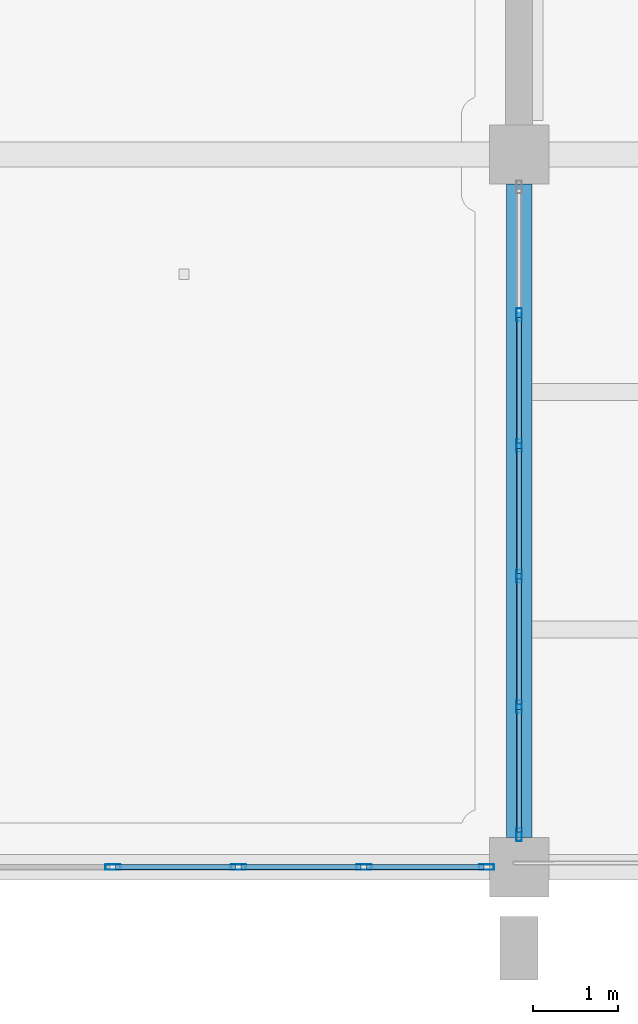
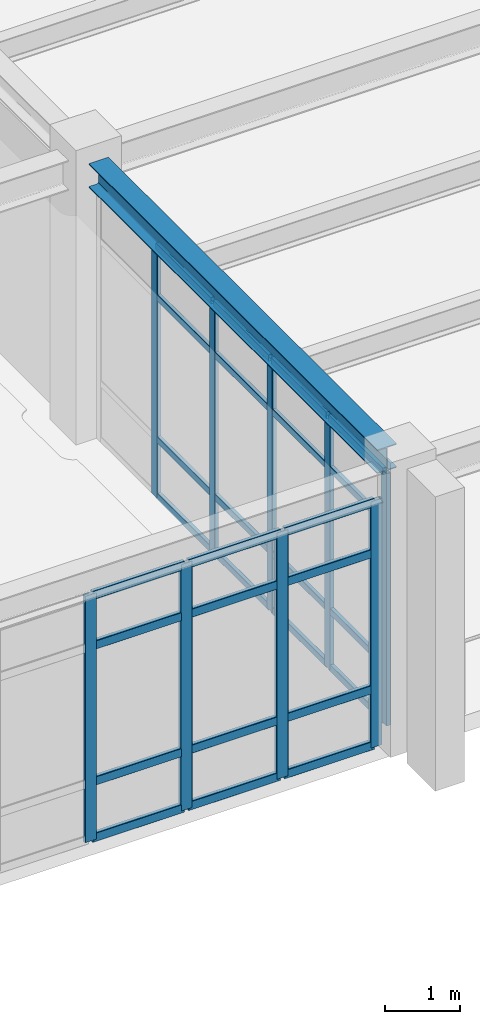
# One storey, part 57 of 98: 37 members, 1 beam, 2 elements without a shape of their own.
"""IFC4 building model written with IfcOpenShell, lengths in metres."""

from ifc_helpers import new_model, si_unit, direction, frame, origin, origin_2d, place, context, subcontext, project, spatial, hollow_rectangle, i_section, extrude, material, material_profile, profile_set, type_object, element, aggregate, save


model = new_model("IFC4")

# Units and contexts
model_context = context("Model", 3, precision=1e-05, world=origin(), true_north=direction((0.0, 1.0)))
body_context = subcontext(model_context, "Body", "Model", "MODEL_VIEW")
ifc_project = project(units=[si_unit("LENGTHUNIT", "METRE"), si_unit("AREAUNIT", "SQUARE_METRE"), si_unit("VOLUMEUNIT", "CUBIC_METRE"), si_unit("PLANEANGLEUNIT", "RADIAN"), si_unit("MASSUNIT", "GRAM", prefix="KILO")], contexts=[model_context])

# Site, building, storey
site_placement = place(None, origin())
site = spatial("IfcSite", under=ifc_project, at=site_placement, CompositionType="ELEMENT")
building_placement = place(site_placement, origin())
building = spatial("IfcBuilding", under=site, at=building_placement, Name="Canglan Escarpment Cableway Terminal", CompositionType="ELEMENT")
storey_placement = place(building_placement, frame((0.0, 0.0, 9.60009765625)))
storey = spatial("IfcBuildingStorey", under=building, at=storey_placement, Name="L02", CompositionType="ELEMENT", Elevation=9.60009765625)

# Beam
ifc_material_1 = material(Name="Steel Q355B", Category="steel")
ifc_material_profile_1 = material_profile(ifc_material_1, i_section(OverallWidth=0.300048828125, OverallDepth=0.389892578125, WebThickness=0.010009765625, FlangeThickness=0.01611328125, FilletRadius=0.02197265625, at=origin_2d()), Name="HM 390x300x10x16")
ifc_profile_set_1 = profile_set([ifc_material_profile_1], Name="Steel Q355B")
beam_type = type_object("IfcBeamType", Name="BM-ARCH-TOP-HM390", PredefinedType="BEAM", material=ifc_profile_set_1)
beam_placement = place(storey_placement, frame((166.39990234375, 8.35009765625, 4.324951171875), z_axis=(0.0, 1.0, 0.0), x_axis=(-1.0, 0.0, 0.0)))
element("IfcBeam", 1, at=beam_placement, inside=storey, type_object=beam_type, Name="Primary transverse girder AR-TC1", PredefinedType="BEAM", context=body_context, shape_type="SweptSolid", body=[
    extrude(i_section(OverallWidth=0.300048828125, OverallDepth=0.389892578125, WebThickness=0.010009765625, FlangeThickness=0.01611328125, FilletRadius=0.02197265625, at=origin_2d()), origin(), (0.0, 0.0, 1.0), 7.699951171875),
])

# Curtain wall, members
ifc_material_2 = material(Name="Anodized bronze aluminium and Low-E double glazing", Category="aluminium")
curtain_wall_type_1 = type_object("IfcCurtainWallType", Name="CW-BAY-7700x4125", PredefinedType="NOTDEFINED", material=ifc_material_2)
curtain_wall_1_placement = place(storey_placement, origin())
curtain_wall_1 = element("IfcCurtainWall", 2, at=curtain_wall_1_placement, inside=storey, type_object=curtain_wall_type_1, Name="Classical bay-between-piers glazed curtain wall CW-27", PredefinedType="NOTDEFINED")
ifc_material_3 = material(Name="Thermally broken anodized aluminium 6063-T6", Category="aluminium")
ifc_material_profile_2 = material_profile(ifc_material_3, hollow_rectangle(XDim=0.06494140625, YDim=0.14990234375, WallThickness=0.00341796875, InnerFilletRadius=0.00341796875, OuterFilletRadius=0.007080078125, at=origin_2d()), Name="ALU-MULL 65x150x3.5")
ifc_profile_set_2 = profile_set([ifc_material_profile_2], Name="Thermally broken anodized aluminium 6063-T6")
member_type_1 = type_object("IfcMemberType", Name="CWM-02", PredefinedType="MULLION", material=ifc_profile_set_2)
member_1_placement = place(storey_placement, frame((166.39990234375, 8.382568359375, 0.0), z_axis=(0.0, 0.0, 1.0), x_axis=(-1.0, 0.0, 0.0)))
member_1 = element("IfcMember", 3, at=member_1_placement, type_object=member_type_1, Name="CW-27 mullion 1", PredefinedType="MULLION", context=body_context, shape_type="SweptSolid", body=[
    extrude(hollow_rectangle(XDim=0.06494140625, YDim=0.14990234375, WallThickness=0.00341796875, InnerFilletRadius=0.00341796875, OuterFilletRadius=0.007080078125, at=origin_2d()), origin(), (0.0, 0.0, 1.0), 4.114990234375),
])
member_2_placement = place(storey_placement, frame((166.39990234375, 9.889892578125, 0.0), z_axis=(0.0, 0.0, 1.0), x_axis=(-1.0, 0.0, 0.0)))
member_2 = element("IfcMember", 4, at=member_2_placement, type_object=member_type_1, Name="CW-27 mullion 2", PredefinedType="MULLION", context=body_context, shape_type="SweptSolid", body=[
    extrude(hollow_rectangle(XDim=0.06494140625, YDim=0.14990234375, WallThickness=0.00341796875, InnerFilletRadius=0.00341796875, OuterFilletRadius=0.007080078125, at=origin_2d()), origin(), (0.0, 0.0, 1.0), 4.114990234375),
])
member_3_placement = place(storey_placement, frame((166.39990234375, 11.429931640625, 0.0), z_axis=(0.0, 0.0, 1.0), x_axis=(-1.0, 0.0, 0.0)))
member_3 = element("IfcMember", 5, at=member_3_placement, type_object=member_type_1, Name="CW-27 mullion 3", PredefinedType="MULLION", context=body_context, shape_type="SweptSolid", body=[
    extrude(hollow_rectangle(XDim=0.06494140625, YDim=0.14990234375, WallThickness=0.00341796875, InnerFilletRadius=0.00341796875, OuterFilletRadius=0.007080078125, at=origin_2d()), origin(), (0.0, 0.0, 1.0), 4.114990234375),
])
member_4_placement = place(storey_placement, frame((166.39990234375, 12.969970703125, 0.0), z_axis=(0.0, 0.0, 1.0), x_axis=(-1.0, 0.0, 0.0)))
member_4 = element("IfcMember", 6, at=member_4_placement, type_object=member_type_1, Name="CW-27 mullion 4", PredefinedType="MULLION", context=body_context, shape_type="SweptSolid", body=[
    extrude(hollow_rectangle(XDim=0.06494140625, YDim=0.14990234375, WallThickness=0.00341796875, InnerFilletRadius=0.00341796875, OuterFilletRadius=0.007080078125, at=origin_2d()), origin(), (0.0, 0.0, 1.0), 4.114990234375),
])
member_5_placement = place(storey_placement, frame((166.39990234375, 14.510009765625, 0.0), z_axis=(0.0, 0.0, 1.0), x_axis=(-1.0, 0.0, 0.0)))
member_5 = element("IfcMember", 7, at=member_5_placement, type_object=member_type_1, Name="CW-27 mullion 5", PredefinedType="MULLION", context=body_context, shape_type="SweptSolid", body=[
    extrude(hollow_rectangle(XDim=0.06494140625, YDim=0.14990234375, WallThickness=0.00341796875, InnerFilletRadius=0.00341796875, OuterFilletRadius=0.007080078125, at=origin_2d()), origin(), (0.0, 0.0, 1.0), 4.114990234375),
])

curtain_wall_type_2 = type_object("IfcCurtainWallType", Name="CW-BAY-8875x4025", PredefinedType="NOTDEFINED", material=ifc_material_2)
curtain_wall_2_placement = place(storey_placement, origin())
curtain_wall_2 = element("IfcCurtainWall", 8, at=curtain_wall_2_placement, inside=storey, type_object=curtain_wall_type_2, Name="Classical bay-between-piers glazed curtain wall CW-26", PredefinedType="NOTDEFINED")
ifc_material_profile_3 = material_profile(ifc_material_3, hollow_rectangle(XDim=0.06494140625, YDim=0.179931640625, WallThickness=0.00390625, InnerFilletRadius=0.00390625, OuterFilletRadius=0.008056640625, at=origin_2d()), Name="ALU-MULL 65x180x4")
ifc_profile_set_3 = profile_set([ifc_material_profile_3], Name="Thermally broken anodized aluminium 6063-T6")
member_type_2 = type_object("IfcMemberType", Name="CWM-03", PredefinedType="MULLION", material=ifc_profile_set_3)
member_6_placement = place(storey_placement, frame((161.612548828125, 8.0, 0.0), z_axis=(0.0, 0.0, 1.0), x_axis=(0.0, 1.0, 0.0)))
member_6 = element("IfcMember", 9, at=member_6_placement, type_object=member_type_2, Name="CW-26 mullion 4", PredefinedType="MULLION", context=body_context, shape_type="SweptSolid", body=[
    extrude(hollow_rectangle(XDim=0.06494140625, YDim=0.179931640625, WallThickness=0.00390625, InnerFilletRadius=0.00390625, OuterFilletRadius=0.008056640625, at=origin_2d()), origin(), (0.0, 0.0, 1.0), 4.016845703125),
])
member_7_placement = place(storey_placement, frame((163.091552734375, 8.0, 0.0), z_axis=(0.0, 0.0, 1.0), x_axis=(0.0, 1.0, 0.0)))
member_7 = element("IfcMember", 10, at=member_7_placement, type_object=member_type_2, Name="CW-26 mullion 5", PredefinedType="MULLION", context=body_context, shape_type="SweptSolid", body=[
    extrude(hollow_rectangle(XDim=0.06494140625, YDim=0.179931640625, WallThickness=0.00390625, InnerFilletRadius=0.00390625, OuterFilletRadius=0.008056640625, at=origin_2d()), origin(), (0.0, 0.0, 1.0), 4.016845703125),
])
member_8_placement = place(storey_placement, frame((164.57080078125, 8.0, 0.0), z_axis=(0.0, 0.0, 1.0), x_axis=(0.0, 1.0, 0.0)))
member_8 = element("IfcMember", 11, at=member_8_placement, type_object=member_type_2, Name="CW-26 mullion 6", PredefinedType="MULLION", context=body_context, shape_type="SweptSolid", body=[
    extrude(hollow_rectangle(XDim=0.06494140625, YDim=0.179931640625, WallThickness=0.00390625, InnerFilletRadius=0.00390625, OuterFilletRadius=0.008056640625, at=origin_2d()), origin(), (0.0, 0.0, 1.0), 4.016845703125),
])
member_9_placement = place(storey_placement, frame((166.017578125, 8.0, 0.0), z_axis=(0.0, 0.0, 1.0), x_axis=(0.0, 1.0, 0.0)))
member_9 = element("IfcMember", 12, at=member_9_placement, type_object=member_type_2, Name="CW-26 mullion 7", PredefinedType="MULLION", context=body_context, shape_type="SweptSolid", body=[
    extrude(hollow_rectangle(XDim=0.06494140625, YDim=0.179931640625, WallThickness=0.00390625, InnerFilletRadius=0.00390625, OuterFilletRadius=0.008056640625, at=origin_2d()), origin(), (0.0, 0.0, 1.0), 4.016845703125),
])

# Member
ifc_material_profile_4 = material_profile(ifc_material_3, hollow_rectangle(XDim=0.06005859375, YDim=0.110107421875, WallThickness=0.0029296875, InnerFilletRadius=0.0029296875, OuterFilletRadius=0.006103515625, at=origin_2d()), Name="ALU-TRAN 60x110x3")
ifc_profile_set_4 = profile_set([ifc_material_profile_4], Name="Thermally broken anodized aluminium 6063-T6")
member_type_3 = type_object("IfcMemberType", Name="CWT-02", PredefinedType="USERDEFINED", material=ifc_profile_set_4)
member_10_placement = place(storey_placement, frame((166.39990234375, 8.4150390625, 0.02978515625), z_axis=(0.0, 1.0, 0.0), x_axis=(-1.0, 0.0, 0.0)))
member_10 = element("IfcMember", 13, at=member_10_placement, type_object=member_type_3, Name="CW-27 transom 1.1", ObjectType="TRANSOM", PredefinedType="USERDEFINED", context=body_context, shape_type="SweptSolid", body=[
    extrude(hollow_rectangle(XDim=0.06005859375, YDim=0.110107421875, WallThickness=0.0029296875, InnerFilletRadius=0.0029296875, OuterFilletRadius=0.006103515625, at=origin_2d()), origin(), (0.0, 0.0, 1.0), 1.4423828125),
])

member_11_placement = place(storey_placement, frame((166.39990234375, 8.4150390625, 0.949951171875), z_axis=(0.0, 1.0, 0.0), x_axis=(-1.0, 0.0, 0.0)))
member_11 = element("IfcMember", 14, at=member_11_placement, type_object=member_type_3, Name="CW-27 transom 1.2", ObjectType="TRANSOM", PredefinedType="USERDEFINED", context=body_context, shape_type="SweptSolid", body=[
    extrude(hollow_rectangle(XDim=0.06005859375, YDim=0.110107421875, WallThickness=0.0029296875, InnerFilletRadius=0.0029296875, OuterFilletRadius=0.006103515625, at=origin_2d()), origin(), (0.0, 0.0, 1.0), 1.4423828125),
])

member_12_placement = place(storey_placement, frame((166.39990234375, 8.4150390625, 3.264892578125), z_axis=(0.0, 1.0, 0.0), x_axis=(-1.0, 0.0, 0.0)))
member_12 = element("IfcMember", 15, at=member_12_placement, type_object=member_type_3, Name="CW-27 transom 1.3", ObjectType="TRANSOM", PredefinedType="USERDEFINED", context=body_context, shape_type="SweptSolid", body=[
    extrude(hollow_rectangle(XDim=0.06005859375, YDim=0.110107421875, WallThickness=0.0029296875, InnerFilletRadius=0.0029296875, OuterFilletRadius=0.006103515625, at=origin_2d()), origin(), (0.0, 0.0, 1.0), 1.4423828125),
])

member_13_placement = place(storey_placement, frame((166.39990234375, 8.4150390625, 4.0849609375), z_axis=(0.0, 1.0, 0.0), x_axis=(-1.0, 0.0, 0.0)))
member_13 = element("IfcMember", 16, at=member_13_placement, type_object=member_type_3, Name="CW-27 transom 1.4", ObjectType="TRANSOM", PredefinedType="USERDEFINED", context=body_context, shape_type="SweptSolid", body=[
    extrude(hollow_rectangle(XDim=0.06005859375, YDim=0.110107421875, WallThickness=0.0029296875, InnerFilletRadius=0.0029296875, OuterFilletRadius=0.006103515625, at=origin_2d()), origin(), (0.0, 0.0, 1.0), 1.4423828125),
])

member_14_placement = place(storey_placement, frame((166.39990234375, 9.922607421875, 0.02978515625), z_axis=(0.0, 1.0, 0.0), x_axis=(-1.0, 0.0, 0.0)))
member_14 = element("IfcMember", 17, at=member_14_placement, type_object=member_type_3, Name="CW-27 transom 2.1", ObjectType="TRANSOM", PredefinedType="USERDEFINED", context=body_context, shape_type="SweptSolid", body=[
    extrude(hollow_rectangle(XDim=0.06005859375, YDim=0.110107421875, WallThickness=0.0029296875, InnerFilletRadius=0.0029296875, OuterFilletRadius=0.006103515625, at=origin_2d()), origin(), (0.0, 0.0, 1.0), 1.474853515625),
])

member_15_placement = place(storey_placement, frame((166.39990234375, 9.922607421875, 0.949951171875), z_axis=(0.0, 1.0, 0.0), x_axis=(-1.0, 0.0, 0.0)))
member_15 = element("IfcMember", 18, at=member_15_placement, type_object=member_type_3, Name="CW-27 transom 2.2", ObjectType="TRANSOM", PredefinedType="USERDEFINED", context=body_context, shape_type="SweptSolid", body=[
    extrude(hollow_rectangle(XDim=0.06005859375, YDim=0.110107421875, WallThickness=0.0029296875, InnerFilletRadius=0.0029296875, OuterFilletRadius=0.006103515625, at=origin_2d()), origin(), (0.0, 0.0, 1.0), 1.474853515625),
])

member_16_placement = place(storey_placement, frame((166.39990234375, 9.922607421875, 3.264892578125), z_axis=(0.0, 1.0, 0.0), x_axis=(-1.0, 0.0, 0.0)))
member_16 = element("IfcMember", 19, at=member_16_placement, type_object=member_type_3, Name="CW-27 transom 2.3", ObjectType="TRANSOM", PredefinedType="USERDEFINED", context=body_context, shape_type="SweptSolid", body=[
    extrude(hollow_rectangle(XDim=0.06005859375, YDim=0.110107421875, WallThickness=0.0029296875, InnerFilletRadius=0.0029296875, OuterFilletRadius=0.006103515625, at=origin_2d()), origin(), (0.0, 0.0, 1.0), 1.474853515625),
])

member_17_placement = place(storey_placement, frame((166.39990234375, 9.922607421875, 4.0849609375), z_axis=(0.0, 1.0, 0.0), x_axis=(-1.0, 0.0, 0.0)))
member_17 = element("IfcMember", 20, at=member_17_placement, type_object=member_type_3, Name="CW-27 transom 2.4", ObjectType="TRANSOM", PredefinedType="USERDEFINED", context=body_context, shape_type="SweptSolid", body=[
    extrude(hollow_rectangle(XDim=0.06005859375, YDim=0.110107421875, WallThickness=0.0029296875, InnerFilletRadius=0.0029296875, OuterFilletRadius=0.006103515625, at=origin_2d()), origin(), (0.0, 0.0, 1.0), 1.474853515625),
])

member_18_placement = place(storey_placement, frame((166.39990234375, 11.46240234375, 0.02978515625), z_axis=(0.0, 1.0, 0.0), x_axis=(-1.0, 0.0, 0.0)))
member_18 = element("IfcMember", 21, at=member_18_placement, type_object=member_type_3, Name="CW-27 transom 3.1", ObjectType="TRANSOM", PredefinedType="USERDEFINED", context=body_context, shape_type="SweptSolid", body=[
    extrude(hollow_rectangle(XDim=0.06005859375, YDim=0.110107421875, WallThickness=0.0029296875, InnerFilletRadius=0.0029296875, OuterFilletRadius=0.006103515625, at=origin_2d()), origin(), (0.0, 0.0, 1.0), 1.47509765625),
])

member_19_placement = place(storey_placement, frame((166.39990234375, 11.46240234375, 0.949951171875), z_axis=(0.0, 1.0, 0.0), x_axis=(-1.0, 0.0, 0.0)))
member_19 = element("IfcMember", 22, at=member_19_placement, type_object=member_type_3, Name="CW-27 transom 3.2", ObjectType="TRANSOM", PredefinedType="USERDEFINED", context=body_context, shape_type="SweptSolid", body=[
    extrude(hollow_rectangle(XDim=0.06005859375, YDim=0.110107421875, WallThickness=0.0029296875, InnerFilletRadius=0.0029296875, OuterFilletRadius=0.006103515625, at=origin_2d()), origin(), (0.0, 0.0, 1.0), 1.47509765625),
])

member_20_placement = place(storey_placement, frame((166.39990234375, 11.46240234375, 3.264892578125), z_axis=(0.0, 1.0, 0.0), x_axis=(-1.0, 0.0, 0.0)))
member_20 = element("IfcMember", 23, at=member_20_placement, type_object=member_type_3, Name="CW-27 transom 3.3", ObjectType="TRANSOM", PredefinedType="USERDEFINED", context=body_context, shape_type="SweptSolid", body=[
    extrude(hollow_rectangle(XDim=0.06005859375, YDim=0.110107421875, WallThickness=0.0029296875, InnerFilletRadius=0.0029296875, OuterFilletRadius=0.006103515625, at=origin_2d()), origin(), (0.0, 0.0, 1.0), 1.47509765625),
])

member_21_placement = place(storey_placement, frame((166.39990234375, 11.46240234375, 4.0849609375), z_axis=(0.0, 1.0, 0.0), x_axis=(-1.0, 0.0, 0.0)))
member_21 = element("IfcMember", 24, at=member_21_placement, type_object=member_type_3, Name="CW-27 transom 3.4", ObjectType="TRANSOM", PredefinedType="USERDEFINED", context=body_context, shape_type="SweptSolid", body=[
    extrude(hollow_rectangle(XDim=0.06005859375, YDim=0.110107421875, WallThickness=0.0029296875, InnerFilletRadius=0.0029296875, OuterFilletRadius=0.006103515625, at=origin_2d()), origin(), (0.0, 0.0, 1.0), 1.47509765625),
])

member_22_placement = place(storey_placement, frame((166.39990234375, 13.00244140625, 0.02978515625), z_axis=(0.0, 1.0, 0.0), x_axis=(-1.0, 0.0, 0.0)))
member_22 = element("IfcMember", 25, at=member_22_placement, type_object=member_type_3, Name="CW-27 transom 4.1", ObjectType="TRANSOM", PredefinedType="USERDEFINED", context=body_context, shape_type="SweptSolid", body=[
    extrude(hollow_rectangle(XDim=0.06005859375, YDim=0.110107421875, WallThickness=0.0029296875, InnerFilletRadius=0.0029296875, OuterFilletRadius=0.006103515625, at=origin_2d()), origin(), (0.0, 0.0, 1.0), 1.47509765625),
])

member_23_placement = place(storey_placement, frame((166.39990234375, 13.00244140625, 0.949951171875), z_axis=(0.0, 1.0, 0.0), x_axis=(-1.0, 0.0, 0.0)))
member_23 = element("IfcMember", 26, at=member_23_placement, type_object=member_type_3, Name="CW-27 transom 4.2", ObjectType="TRANSOM", PredefinedType="USERDEFINED", context=body_context, shape_type="SweptSolid", body=[
    extrude(hollow_rectangle(XDim=0.06005859375, YDim=0.110107421875, WallThickness=0.0029296875, InnerFilletRadius=0.0029296875, OuterFilletRadius=0.006103515625, at=origin_2d()), origin(), (0.0, 0.0, 1.0), 1.47509765625),
])

member_24_placement = place(storey_placement, frame((166.39990234375, 13.00244140625, 3.264892578125), z_axis=(0.0, 1.0, 0.0), x_axis=(-1.0, 0.0, 0.0)))
member_24 = element("IfcMember", 27, at=member_24_placement, type_object=member_type_3, Name="CW-27 transom 4.3", ObjectType="TRANSOM", PredefinedType="USERDEFINED", context=body_context, shape_type="SweptSolid", body=[
    extrude(hollow_rectangle(XDim=0.06005859375, YDim=0.110107421875, WallThickness=0.0029296875, InnerFilletRadius=0.0029296875, OuterFilletRadius=0.006103515625, at=origin_2d()), origin(), (0.0, 0.0, 1.0), 1.47509765625),
])

member_25_placement = place(storey_placement, frame((166.39990234375, 13.00244140625, 4.0849609375), z_axis=(0.0, 1.0, 0.0), x_axis=(-1.0, 0.0, 0.0)))
member_25 = element("IfcMember", 28, at=member_25_placement, type_object=member_type_3, Name="CW-27 transom 4.4", ObjectType="TRANSOM", PredefinedType="USERDEFINED", context=body_context, shape_type="SweptSolid", body=[
    extrude(hollow_rectangle(XDim=0.06005859375, YDim=0.110107421875, WallThickness=0.0029296875, InnerFilletRadius=0.0029296875, OuterFilletRadius=0.006103515625, at=origin_2d()), origin(), (0.0, 0.0, 1.0), 1.47509765625),
])

aggregate(curtain_wall_1, [member_1, member_2, member_3, member_4, member_5, member_10, member_11, member_12, member_13, member_14, member_15, member_16, member_17, member_18, member_19, member_20, member_21, member_22, member_23, member_24, member_25])

ifc_material_profile_5 = material_profile(ifc_material_3, hollow_rectangle(XDim=0.06494140625, YDim=0.139892578125, WallThickness=0.00341796875, InnerFilletRadius=0.00341796875, OuterFilletRadius=0.007080078125, at=origin_2d()), Name="ALU-TRAN 65x140x3.5")
ifc_profile_set_5 = profile_set([ifc_material_profile_5], Name="Thermally broken anodized aluminium 6063-T6")
member_type_4 = type_object("IfcMemberType", Name="CWT-03", PredefinedType="USERDEFINED", material=ifc_profile_set_5)
member_26_placement = place(storey_placement, frame((161.64501953125, 8.0, 0.032470703125), z_axis=(1.0, 0.0, 0.0), x_axis=(0.0, 1.0, 0.0)))
member_26 = element("IfcMember", 29, at=member_26_placement, type_object=member_type_4, Name="CW-26 transom 4.1", ObjectType="TRANSOM", PredefinedType="USERDEFINED", context=body_context, shape_type="SweptSolid", body=[
    extrude(hollow_rectangle(XDim=0.06494140625, YDim=0.139892578125, WallThickness=0.00341796875, InnerFilletRadius=0.00341796875, OuterFilletRadius=0.007080078125, at=origin_2d()), origin(), (0.0, 0.0, 1.0), 1.4140625),
])

member_27_placement = place(storey_placement, frame((161.64501953125, 8.0, 0.949951171875), z_axis=(1.0, 0.0, 0.0), x_axis=(0.0, 1.0, 0.0)))
member_27 = element("IfcMember", 30, at=member_27_placement, type_object=member_type_4, Name="CW-26 transom 4.2", ObjectType="TRANSOM", PredefinedType="USERDEFINED", context=body_context, shape_type="SweptSolid", body=[
    extrude(hollow_rectangle(XDim=0.06494140625, YDim=0.139892578125, WallThickness=0.00341796875, InnerFilletRadius=0.00341796875, OuterFilletRadius=0.007080078125, at=origin_2d()), origin(), (0.0, 0.0, 1.0), 1.4140625),
])

member_28_placement = place(storey_placement, frame((161.64501953125, 8.0, 3.1669921875), z_axis=(1.0, 0.0, 0.0), x_axis=(0.0, 1.0, 0.0)))
member_28 = element("IfcMember", 31, at=member_28_placement, type_object=member_type_4, Name="CW-26 transom 4.3", ObjectType="TRANSOM", PredefinedType="USERDEFINED", context=body_context, shape_type="SweptSolid", body=[
    extrude(hollow_rectangle(XDim=0.06494140625, YDim=0.139892578125, WallThickness=0.00341796875, InnerFilletRadius=0.00341796875, OuterFilletRadius=0.007080078125, at=origin_2d()), origin(), (0.0, 0.0, 1.0), 1.4140625),
])

member_29_placement = place(storey_placement, frame((161.64501953125, 8.0, 3.984375), z_axis=(1.0, 0.0, 0.0), x_axis=(0.0, 1.0, 0.0)))
member_29 = element("IfcMember", 32, at=member_29_placement, type_object=member_type_4, Name="CW-26 transom 4.4", ObjectType="TRANSOM", PredefinedType="USERDEFINED", context=body_context, shape_type="SweptSolid", body=[
    extrude(hollow_rectangle(XDim=0.06494140625, YDim=0.139892578125, WallThickness=0.00341796875, InnerFilletRadius=0.00341796875, OuterFilletRadius=0.007080078125, at=origin_2d()), origin(), (0.0, 0.0, 1.0), 1.4140625),
])

member_30_placement = place(storey_placement, frame((163.124267578125, 8.0, 0.032470703125), z_axis=(1.0, 0.0, 0.0), x_axis=(0.0, 1.0, 0.0)))
member_30 = element("IfcMember", 33, at=member_30_placement, type_object=member_type_4, Name="CW-26 transom 5.1", ObjectType="TRANSOM", PredefinedType="USERDEFINED", context=body_context, shape_type="SweptSolid", body=[
    extrude(hollow_rectangle(XDim=0.06494140625, YDim=0.139892578125, WallThickness=0.00341796875, InnerFilletRadius=0.00341796875, OuterFilletRadius=0.007080078125, at=origin_2d()), origin(), (0.0, 0.0, 1.0), 1.4140625),
])

member_31_placement = place(storey_placement, frame((163.124267578125, 8.0, 0.949951171875), z_axis=(1.0, 0.0, 0.0), x_axis=(0.0, 1.0, 0.0)))
member_31 = element("IfcMember", 34, at=member_31_placement, type_object=member_type_4, Name="CW-26 transom 5.2", ObjectType="TRANSOM", PredefinedType="USERDEFINED", context=body_context, shape_type="SweptSolid", body=[
    extrude(hollow_rectangle(XDim=0.06494140625, YDim=0.139892578125, WallThickness=0.00341796875, InnerFilletRadius=0.00341796875, OuterFilletRadius=0.007080078125, at=origin_2d()), origin(), (0.0, 0.0, 1.0), 1.4140625),
])

member_32_placement = place(storey_placement, frame((163.124267578125, 8.0, 3.1669921875), z_axis=(1.0, 0.0, 0.0), x_axis=(0.0, 1.0, 0.0)))
member_32 = element("IfcMember", 35, at=member_32_placement, type_object=member_type_4, Name="CW-26 transom 5.3", ObjectType="TRANSOM", PredefinedType="USERDEFINED", context=body_context, shape_type="SweptSolid", body=[
    extrude(hollow_rectangle(XDim=0.06494140625, YDim=0.139892578125, WallThickness=0.00341796875, InnerFilletRadius=0.00341796875, OuterFilletRadius=0.007080078125, at=origin_2d()), origin(), (0.0, 0.0, 1.0), 1.4140625),
])

member_33_placement = place(storey_placement, frame((163.124267578125, 8.0, 3.984375), z_axis=(1.0, 0.0, 0.0), x_axis=(0.0, 1.0, 0.0)))
member_33 = element("IfcMember", 36, at=member_33_placement, type_object=member_type_4, Name="CW-26 transom 5.4", ObjectType="TRANSOM", PredefinedType="USERDEFINED", context=body_context, shape_type="SweptSolid", body=[
    extrude(hollow_rectangle(XDim=0.06494140625, YDim=0.139892578125, WallThickness=0.00341796875, InnerFilletRadius=0.00341796875, OuterFilletRadius=0.007080078125, at=origin_2d()), origin(), (0.0, 0.0, 1.0), 1.4140625),
])

member_34_placement = place(storey_placement, frame((164.603271484375, 8.0, 0.032470703125), z_axis=(1.0, 0.0, 0.0), x_axis=(0.0, 1.0, 0.0)))
member_34 = element("IfcMember", 37, at=member_34_placement, type_object=member_type_4, Name="CW-26 transom 6.1", ObjectType="TRANSOM", PredefinedType="USERDEFINED", context=body_context, shape_type="SweptSolid", body=[
    extrude(hollow_rectangle(XDim=0.06494140625, YDim=0.139892578125, WallThickness=0.00341796875, InnerFilletRadius=0.00341796875, OuterFilletRadius=0.007080078125, at=origin_2d()), origin(), (0.0, 0.0, 1.0), 1.3818359375),
])

member_35_placement = place(storey_placement, frame((164.603271484375, 8.0, 0.949951171875), z_axis=(1.0, 0.0, 0.0), x_axis=(0.0, 1.0, 0.0)))
member_35 = element("IfcMember", 38, at=member_35_placement, type_object=member_type_4, Name="CW-26 transom 6.2", ObjectType="TRANSOM", PredefinedType="USERDEFINED", context=body_context, shape_type="SweptSolid", body=[
    extrude(hollow_rectangle(XDim=0.06494140625, YDim=0.139892578125, WallThickness=0.00341796875, InnerFilletRadius=0.00341796875, OuterFilletRadius=0.007080078125, at=origin_2d()), origin(), (0.0, 0.0, 1.0), 1.3818359375),
])

member_36_placement = place(storey_placement, frame((164.603271484375, 8.0, 3.1669921875), z_axis=(1.0, 0.0, 0.0), x_axis=(0.0, 1.0, 0.0)))
member_36 = element("IfcMember", 39, at=member_36_placement, type_object=member_type_4, Name="CW-26 transom 6.3", ObjectType="TRANSOM", PredefinedType="USERDEFINED", context=body_context, shape_type="SweptSolid", body=[
    extrude(hollow_rectangle(XDim=0.06494140625, YDim=0.139892578125, WallThickness=0.00341796875, InnerFilletRadius=0.00341796875, OuterFilletRadius=0.007080078125, at=origin_2d()), origin(), (0.0, 0.0, 1.0), 1.3818359375),
])

member_37_placement = place(storey_placement, frame((164.603271484375, 8.0, 3.984375), z_axis=(1.0, 0.0, 0.0), x_axis=(0.0, 1.0, 0.0)))
member_37 = element("IfcMember", 40, at=member_37_placement, type_object=member_type_4, Name="CW-26 transom 6.4", ObjectType="TRANSOM", PredefinedType="USERDEFINED", context=body_context, shape_type="SweptSolid", body=[
    extrude(hollow_rectangle(XDim=0.06494140625, YDim=0.139892578125, WallThickness=0.00341796875, InnerFilletRadius=0.00341796875, OuterFilletRadius=0.007080078125, at=origin_2d()), origin(), (0.0, 0.0, 1.0), 1.3818359375),
])

aggregate(curtain_wall_2, [member_6, member_7, member_8, member_9, member_26, member_27, member_28, member_29, member_30, member_31, member_32, member_33, member_34, member_35, member_36, member_37])

save(model, "model.ifc")
